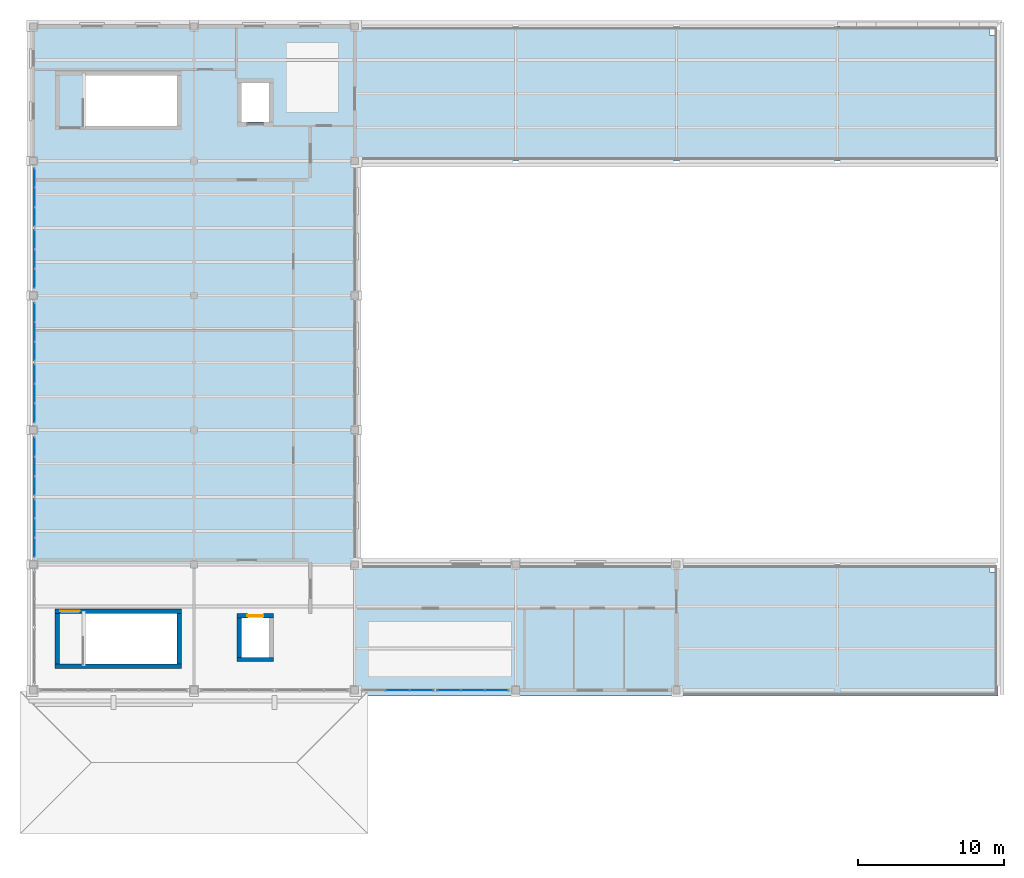
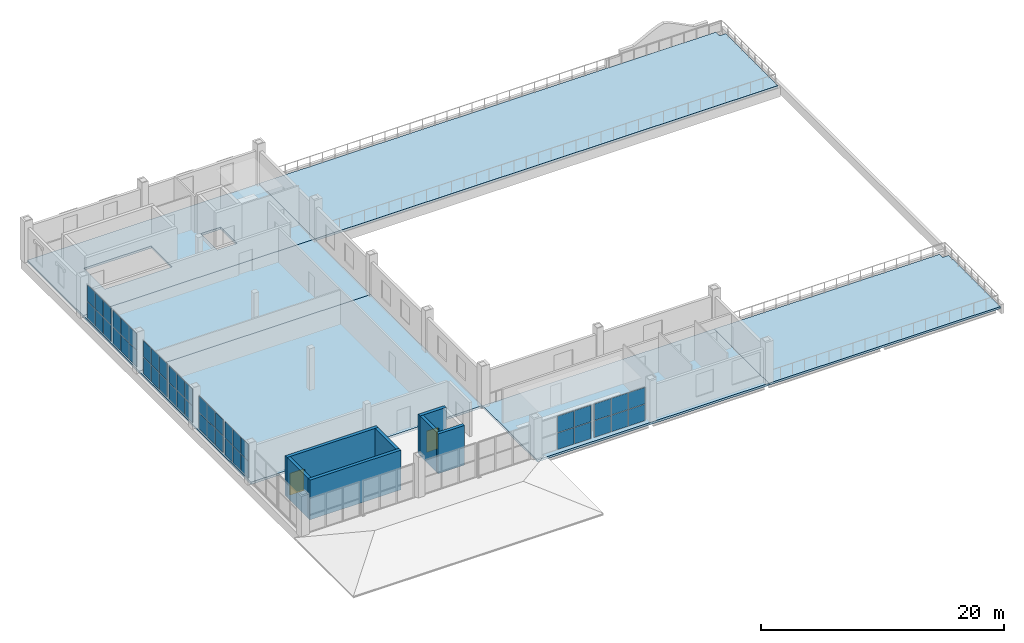
# One storey, part 22 of 26: 46 plates, 7 walls, 6 slabs, 2 doors, 2 openings, 8 elements without a shape of their own.
"""IFC4 building model written with IfcOpenShell, lengths in metres."""

from ifc_helpers import new_model, si_unit, direction, frame, frame_2d, origin, origin_2d, place, context, subcontext, project, spatial, polyline, rectangle, outline, extrude, material, layer, layer_set, type_object, element, fill, aggregate, save


model = new_model("IFC4")

# Units and contexts
model_context = context("Model", 3, precision=1e-05, world=origin(), true_north=direction((0.0, 1.0)))
body_context = subcontext(model_context, "Body", "Model", "MODEL_VIEW")
ifc_project = project(units=[si_unit("LENGTHUNIT", "METRE"), si_unit("AREAUNIT", "SQUARE_METRE"), si_unit("VOLUMEUNIT", "CUBIC_METRE"), si_unit("PLANEANGLEUNIT", "RADIAN"), si_unit("MASSUNIT", "GRAM", prefix="KILO")], contexts=[model_context])

# Site, building, storey
site_placement = place(None, origin())
site = spatial("IfcSite", under=ifc_project, at=site_placement, CompositionType="ELEMENT")
building_placement = place(site_placement, origin())
building = spatial("IfcBuilding", under=site, at=building_placement, Name="Caurita Quay Ferry Terminal", CompositionType="ELEMENT")
storey_placement = place(building_placement, frame((0.0, 0.0, 18.300048828125)))
storey = spatial("IfcBuildingStorey", under=building, at=storey_placement, Name="L04", CompositionType="ELEMENT", Elevation=18.300048828125)

# Curtain wall, plates
ifc_material_1 = material(Name="Laminated solar-control insulated glass", Category="glass")
curtain_wall_type_1 = type_object("IfcCurtainWallType", Name="CW-SYS-21", PredefinedType="NOTDEFINED", material=ifc_material_1)
curtain_wall_1_placement = place(storey_placement, origin())
curtain_wall_1 = element("IfcCurtainWall", 1, at=curtain_wall_1_placement, inside=storey, type_object=curtain_wall_type_1, Name="VTS Watch Panoramic Curtain Wall 144", PredefinedType="NOTDEFINED")
ifc_layer_1 = layer(ifc_material_1, 0.028076171875, Name="Laminated low-e hurricane-rated glazing unit 28 mm")
ifc_layer_set_1 = layer_set([ifc_layer_1], Name="Laminated solar-control insulated glass")
plate_type = type_object("IfcPlateType", Name="CW-PNL-28", PredefinedType="CURTAIN_PANEL", material=ifc_layer_set_1)
plate_1_placement = place(storey_placement, frame((0.10009765625, 81.36376953125, 0.052978515625), z_axis=(0.0, 0.0, 1.0), x_axis=(0.0, 1.0, 0.0)))
plate_1 = element("IfcPlate", 2, at=plate_1_placement, type_object=plate_type, Name="CW-VTS-144 Glazing Panel 1", PredefinedType="CURTAIN_PANEL", context=body_context, shape_type="SweptSolid", body=[
    extrude(rectangle(XDim=1.261474609375, YDim=0.028076171875, at=origin_2d()), origin(), (0.0, 0.0, 1.0), 1.646484375),
])
plate_2_placement = place(storey_placement, frame((0.10009765625, 81.36376953125, 1.75048828125), z_axis=(0.0, 0.0, 1.0), x_axis=(0.0, 1.0, 0.0)))
plate_2 = element("IfcPlate", 3, at=plate_2_placement, type_object=plate_type, Name="CW-VTS-144 Glazing Panel 2", PredefinedType="CURTAIN_PANEL", context=body_context, shape_type="SweptSolid", body=[
    extrude(rectangle(XDim=1.261474609375, YDim=0.028076171875, at=origin_2d()), origin(), (0.0, 0.0, 1.0), 1.646484375),
])
plate_3_placement = place(storey_placement, frame((0.10009765625, 82.68994140625, 0.052978515625), z_axis=(0.0, 0.0, 1.0), x_axis=(0.0, 1.0, 0.0)))
plate_3 = element("IfcPlate", 4, at=plate_3_placement, type_object=plate_type, Name="CW-VTS-144 Glazing Panel 3", PredefinedType="CURTAIN_PANEL", context=body_context, shape_type="SweptSolid", body=[
    extrude(rectangle(XDim=1.2890625, YDim=0.028076171875, at=origin_2d()), origin(), (0.0, 0.0, 1.0), 1.646484375),
])
plate_4_placement = place(storey_placement, frame((0.10009765625, 82.68994140625, 1.75048828125), z_axis=(0.0, 0.0, 1.0), x_axis=(0.0, 1.0, 0.0)))
plate_4 = element("IfcPlate", 5, at=plate_4_placement, type_object=plate_type, Name="CW-VTS-144 Glazing Panel 4", PredefinedType="CURTAIN_PANEL", context=body_context, shape_type="SweptSolid", body=[
    extrude(rectangle(XDim=1.2890625, YDim=0.028076171875, at=origin_2d()), origin(), (0.0, 0.0, 1.0), 1.646484375),
])
plate_5_placement = place(storey_placement, frame((0.10009765625, 84.01611328125, 0.052978515625), z_axis=(0.0, 0.0, 1.0), x_axis=(0.0, 1.0, 0.0)))
plate_5 = element("IfcPlate", 6, at=plate_5_placement, type_object=plate_type, Name="CW-VTS-144 Glazing Panel 5", PredefinedType="CURTAIN_PANEL", context=body_context, shape_type="SweptSolid", body=[
    extrude(rectangle(XDim=1.261474609375, YDim=0.028076171875, at=origin_2d()), origin(), (0.0, 0.0, 1.0), 1.646484375),
])
plate_6_placement = place(storey_placement, frame((0.10009765625, 84.01611328125, 1.75048828125), z_axis=(0.0, 0.0, 1.0), x_axis=(0.0, 1.0, 0.0)))
plate_6 = element("IfcPlate", 7, at=plate_6_placement, type_object=plate_type, Name="CW-VTS-144 Glazing Panel 6", PredefinedType="CURTAIN_PANEL", context=body_context, shape_type="SweptSolid", body=[
    extrude(rectangle(XDim=1.261474609375, YDim=0.028076171875, at=origin_2d()), origin(), (0.0, 0.0, 1.0), 1.646484375),
])
aggregate(curtain_wall_1, [plate_1, plate_2, plate_3, plate_4, plate_5, plate_6])

curtain_wall_2_placement = place(storey_placement, origin())
curtain_wall_2 = element("IfcCurtainWall", 8, at=curtain_wall_2_placement, inside=storey, type_object=curtain_wall_type_1, Name="VTS Watch Panoramic Curtain Wall 145", PredefinedType="NOTDEFINED")
plate_7_placement = place(storey_placement, frame((0.10009765625, 85.583740234375, 0.052978515625), z_axis=(0.0, 0.0, 1.0), x_axis=(0.0, 1.0, 0.0)))
plate_7 = element("IfcPlate", 9, at=plate_7_placement, type_object=plate_type, Name="CW-VTS-145 Glazing Panel 1", PredefinedType="CURTAIN_PANEL", context=body_context, shape_type="SweptSolid", body=[
    extrude(rectangle(XDim=1.261474609375, YDim=0.028076171875, at=origin_2d()), origin(), (0.0, 0.0, 1.0), 1.646484375),
])
plate_8_placement = place(storey_placement, frame((0.10009765625, 85.583740234375, 1.75048828125), z_axis=(0.0, 0.0, 1.0), x_axis=(0.0, 1.0, 0.0)))
plate_8 = element("IfcPlate", 10, at=plate_8_placement, type_object=plate_type, Name="CW-VTS-145 Glazing Panel 2", PredefinedType="CURTAIN_PANEL", context=body_context, shape_type="SweptSolid", body=[
    extrude(rectangle(XDim=1.261474609375, YDim=0.028076171875, at=origin_2d()), origin(), (0.0, 0.0, 1.0), 1.646484375),
])
plate_9_placement = place(storey_placement, frame((0.10009765625, 86.909912109375, 0.052978515625), z_axis=(0.0, 0.0, 1.0), x_axis=(0.0, 1.0, 0.0)))
plate_9 = element("IfcPlate", 11, at=plate_9_placement, type_object=plate_type, Name="CW-VTS-145 Glazing Panel 3", PredefinedType="CURTAIN_PANEL", context=body_context, shape_type="SweptSolid", body=[
    extrude(rectangle(XDim=1.2890625, YDim=0.028076171875, at=origin_2d()), origin(), (0.0, 0.0, 1.0), 1.646484375),
])
plate_10_placement = place(storey_placement, frame((0.10009765625, 86.909912109375, 1.75048828125), z_axis=(0.0, 0.0, 1.0), x_axis=(0.0, 1.0, 0.0)))
plate_10 = element("IfcPlate", 12, at=plate_10_placement, type_object=plate_type, Name="CW-VTS-145 Glazing Panel 4", PredefinedType="CURTAIN_PANEL", context=body_context, shape_type="SweptSolid", body=[
    extrude(rectangle(XDim=1.2890625, YDim=0.028076171875, at=origin_2d()), origin(), (0.0, 0.0, 1.0), 1.646484375),
])
plate_11_placement = place(storey_placement, frame((0.10009765625, 88.236083984375, 0.052978515625), z_axis=(0.0, 0.0, 1.0), x_axis=(0.0, 1.0, 0.0)))
plate_11 = element("IfcPlate", 13, at=plate_11_placement, type_object=plate_type, Name="CW-VTS-145 Glazing Panel 5", PredefinedType="CURTAIN_PANEL", context=body_context, shape_type="SweptSolid", body=[
    extrude(rectangle(XDim=1.261474609375, YDim=0.028076171875, at=origin_2d()), origin(), (0.0, 0.0, 1.0), 1.646484375),
])
plate_12_placement = place(storey_placement, frame((0.10009765625, 88.236083984375, 1.75048828125), z_axis=(0.0, 0.0, 1.0), x_axis=(0.0, 1.0, 0.0)))
plate_12 = element("IfcPlate", 14, at=plate_12_placement, type_object=plate_type, Name="CW-VTS-145 Glazing Panel 6", PredefinedType="CURTAIN_PANEL", context=body_context, shape_type="SweptSolid", body=[
    extrude(rectangle(XDim=1.261474609375, YDim=0.028076171875, at=origin_2d()), origin(), (0.0, 0.0, 1.0), 1.646484375),
])
aggregate(curtain_wall_2, [plate_7, plate_8, plate_9, plate_10, plate_11, plate_12])

curtain_wall_3_placement = place(storey_placement, origin())
curtain_wall_3 = element("IfcCurtainWall", 15, at=curtain_wall_3_placement, inside=storey, type_object=curtain_wall_type_1, Name="VTS Watch Panoramic Curtain Wall 146", PredefinedType="NOTDEFINED")
plate_13_placement = place(storey_placement, frame((0.10009765625, 90.563720703125, 0.052978515625), z_axis=(0.0, 0.0, 1.0), x_axis=(0.0, 1.0, 0.0)))
plate_13 = element("IfcPlate", 16, at=plate_13_placement, type_object=plate_type, Name="CW-VTS-146 Glazing Panel 1", PredefinedType="CURTAIN_PANEL", context=body_context, shape_type="SweptSolid", body=[
    extrude(rectangle(XDim=1.261474609375, YDim=0.028076171875, at=origin_2d()), origin(), (0.0, 0.0, 1.0), 1.646484375),
])
plate_14_placement = place(storey_placement, frame((0.10009765625, 90.563720703125, 1.75048828125), z_axis=(0.0, 0.0, 1.0), x_axis=(0.0, 1.0, 0.0)))
plate_14 = element("IfcPlate", 17, at=plate_14_placement, type_object=plate_type, Name="CW-VTS-146 Glazing Panel 2", PredefinedType="CURTAIN_PANEL", context=body_context, shape_type="SweptSolid", body=[
    extrude(rectangle(XDim=1.261474609375, YDim=0.028076171875, at=origin_2d()), origin(), (0.0, 0.0, 1.0), 1.646484375),
])
plate_15_placement = place(storey_placement, frame((0.10009765625, 91.889892578125, 0.052978515625), z_axis=(0.0, 0.0, 1.0), x_axis=(0.0, 1.0, 0.0)))
plate_15 = element("IfcPlate", 18, at=plate_15_placement, type_object=plate_type, Name="CW-VTS-146 Glazing Panel 3", PredefinedType="CURTAIN_PANEL", context=body_context, shape_type="SweptSolid", body=[
    extrude(rectangle(XDim=1.2890625, YDim=0.028076171875, at=origin_2d()), origin(), (0.0, 0.0, 1.0), 1.646484375),
])
plate_16_placement = place(storey_placement, frame((0.10009765625, 91.889892578125, 1.75048828125), z_axis=(0.0, 0.0, 1.0), x_axis=(0.0, 1.0, 0.0)))
plate_16 = element("IfcPlate", 19, at=plate_16_placement, type_object=plate_type, Name="CW-VTS-146 Glazing Panel 4", PredefinedType="CURTAIN_PANEL", context=body_context, shape_type="SweptSolid", body=[
    extrude(rectangle(XDim=1.2890625, YDim=0.028076171875, at=origin_2d()), origin(), (0.0, 0.0, 1.0), 1.646484375),
])
plate_17_placement = place(storey_placement, frame((0.10009765625, 93.21630859375, 0.052978515625), z_axis=(0.0, 0.0, 1.0), x_axis=(0.0, 1.0, 0.0)))
plate_17 = element("IfcPlate", 20, at=plate_17_placement, type_object=plate_type, Name="CW-VTS-146 Glazing Panel 5", PredefinedType="CURTAIN_PANEL", context=body_context, shape_type="SweptSolid", body=[
    extrude(rectangle(XDim=1.261474609375, YDim=0.028076171875, at=origin_2d()), origin(), (0.0, 0.0, 1.0), 1.646484375),
])
plate_18_placement = place(storey_placement, frame((0.10009765625, 93.21630859375, 1.75048828125), z_axis=(0.0, 0.0, 1.0), x_axis=(0.0, 1.0, 0.0)))
plate_18 = element("IfcPlate", 21, at=plate_18_placement, type_object=plate_type, Name="CW-VTS-146 Glazing Panel 6", PredefinedType="CURTAIN_PANEL", context=body_context, shape_type="SweptSolid", body=[
    extrude(rectangle(XDim=1.261474609375, YDim=0.028076171875, at=origin_2d()), origin(), (0.0, 0.0, 1.0), 1.646484375),
])
aggregate(curtain_wall_3, [plate_13, plate_14, plate_15, plate_16, plate_17, plate_18])

curtain_wall_4_placement = place(storey_placement, origin())
curtain_wall_4 = element("IfcCurtainWall", 22, at=curtain_wall_4_placement, inside=storey, type_object=curtain_wall_type_1, Name="VTS Watch Panoramic Curtain Wall 147", PredefinedType="NOTDEFINED")
plate_19_placement = place(storey_placement, frame((0.10009765625, 94.78369140625, 0.052978515625), z_axis=(0.0, 0.0, 1.0), x_axis=(0.0, 1.0, 0.0)))
plate_19 = element("IfcPlate", 23, at=plate_19_placement, type_object=plate_type, Name="CW-VTS-147 Glazing Panel 1", PredefinedType="CURTAIN_PANEL", context=body_context, shape_type="SweptSolid", body=[
    extrude(rectangle(XDim=1.261474609375, YDim=0.028076171875, at=origin_2d()), origin(), (0.0, 0.0, 1.0), 1.646484375),
])
plate_20_placement = place(storey_placement, frame((0.10009765625, 94.78369140625, 1.75048828125), z_axis=(0.0, 0.0, 1.0), x_axis=(0.0, 1.0, 0.0)))
plate_20 = element("IfcPlate", 24, at=plate_20_placement, type_object=plate_type, Name="CW-VTS-147 Glazing Panel 2", PredefinedType="CURTAIN_PANEL", context=body_context, shape_type="SweptSolid", body=[
    extrude(rectangle(XDim=1.261474609375, YDim=0.028076171875, at=origin_2d()), origin(), (0.0, 0.0, 1.0), 1.646484375),
])
plate_21_placement = place(storey_placement, frame((0.10009765625, 96.110107421875, 0.052978515625), z_axis=(0.0, 0.0, 1.0), x_axis=(0.0, 1.0, 0.0)))
plate_21 = element("IfcPlate", 25, at=plate_21_placement, type_object=plate_type, Name="CW-VTS-147 Glazing Panel 3", PredefinedType="CURTAIN_PANEL", context=body_context, shape_type="SweptSolid", body=[
    extrude(rectangle(XDim=1.2890625, YDim=0.028076171875, at=origin_2d()), origin(), (0.0, 0.0, 1.0), 1.646484375),
])
plate_22_placement = place(storey_placement, frame((0.10009765625, 96.110107421875, 1.75048828125), z_axis=(0.0, 0.0, 1.0), x_axis=(0.0, 1.0, 0.0)))
plate_22 = element("IfcPlate", 26, at=plate_22_placement, type_object=plate_type, Name="CW-VTS-147 Glazing Panel 4", PredefinedType="CURTAIN_PANEL", context=body_context, shape_type="SweptSolid", body=[
    extrude(rectangle(XDim=1.2890625, YDim=0.028076171875, at=origin_2d()), origin(), (0.0, 0.0, 1.0), 1.646484375),
])
plate_23_placement = place(storey_placement, frame((0.10009765625, 97.436279296875, 0.052978515625), z_axis=(0.0, 0.0, 1.0), x_axis=(0.0, 1.0, 0.0)))
plate_23 = element("IfcPlate", 27, at=plate_23_placement, type_object=plate_type, Name="CW-VTS-147 Glazing Panel 5", PredefinedType="CURTAIN_PANEL", context=body_context, shape_type="SweptSolid", body=[
    extrude(rectangle(XDim=1.261474609375, YDim=0.028076171875, at=origin_2d()), origin(), (0.0, 0.0, 1.0), 1.646484375),
])
plate_24_placement = place(storey_placement, frame((0.10009765625, 97.436279296875, 1.75048828125), z_axis=(0.0, 0.0, 1.0), x_axis=(0.0, 1.0, 0.0)))
plate_24 = element("IfcPlate", 28, at=plate_24_placement, type_object=plate_type, Name="CW-VTS-147 Glazing Panel 6", PredefinedType="CURTAIN_PANEL", context=body_context, shape_type="SweptSolid", body=[
    extrude(rectangle(XDim=1.261474609375, YDim=0.028076171875, at=origin_2d()), origin(), (0.0, 0.0, 1.0), 1.646484375),
])
aggregate(curtain_wall_4, [plate_19, plate_20, plate_21, plate_22, plate_23, plate_24])

curtain_wall_5_placement = place(storey_placement, origin())
curtain_wall_5 = element("IfcCurtainWall", 29, at=curtain_wall_5_placement, inside=storey, type_object=curtain_wall_type_1, Name="VTS Watch Panoramic Curtain Wall 148", PredefinedType="NOTDEFINED")
plate_25_placement = place(storey_placement, frame((0.10009765625, 99.763916015625, 0.052978515625), z_axis=(0.0, 0.0, 1.0), x_axis=(0.0, 1.0, 0.0)))
plate_25 = element("IfcPlate", 30, at=plate_25_placement, type_object=plate_type, Name="CW-VTS-148 Glazing Panel 1", PredefinedType="CURTAIN_PANEL", context=body_context, shape_type="SweptSolid", body=[
    extrude(rectangle(XDim=1.261474609375, YDim=0.028076171875, at=origin_2d()), origin(), (0.0, 0.0, 1.0), 1.646484375),
])
plate_26_placement = place(storey_placement, frame((0.10009765625, 99.763916015625, 1.75048828125), z_axis=(0.0, 0.0, 1.0), x_axis=(0.0, 1.0, 0.0)))
plate_26 = element("IfcPlate", 31, at=plate_26_placement, type_object=plate_type, Name="CW-VTS-148 Glazing Panel 2", PredefinedType="CURTAIN_PANEL", context=body_context, shape_type="SweptSolid", body=[
    extrude(rectangle(XDim=1.261474609375, YDim=0.028076171875, at=origin_2d()), origin(), (0.0, 0.0, 1.0), 1.646484375),
])
plate_27_placement = place(storey_placement, frame((0.10009765625, 101.090087890625, 0.052978515625), z_axis=(0.0, 0.0, 1.0), x_axis=(0.0, 1.0, 0.0)))
plate_27 = element("IfcPlate", 32, at=plate_27_placement, type_object=plate_type, Name="CW-VTS-148 Glazing Panel 3", PredefinedType="CURTAIN_PANEL", context=body_context, shape_type="SweptSolid", body=[
    extrude(rectangle(XDim=1.2890625, YDim=0.028076171875, at=origin_2d()), origin(), (0.0, 0.0, 1.0), 1.646484375),
])
plate_28_placement = place(storey_placement, frame((0.10009765625, 101.090087890625, 1.75048828125), z_axis=(0.0, 0.0, 1.0), x_axis=(0.0, 1.0, 0.0)))
plate_28 = element("IfcPlate", 33, at=plate_28_placement, type_object=plate_type, Name="CW-VTS-148 Glazing Panel 4", PredefinedType="CURTAIN_PANEL", context=body_context, shape_type="SweptSolid", body=[
    extrude(rectangle(XDim=1.2890625, YDim=0.028076171875, at=origin_2d()), origin(), (0.0, 0.0, 1.0), 1.646484375),
])
plate_29_placement = place(storey_placement, frame((0.10009765625, 102.416259765625, 0.052978515625), z_axis=(0.0, 0.0, 1.0), x_axis=(0.0, 1.0, 0.0)))
plate_29 = element("IfcPlate", 34, at=plate_29_placement, type_object=plate_type, Name="CW-VTS-148 Glazing Panel 5", PredefinedType="CURTAIN_PANEL", context=body_context, shape_type="SweptSolid", body=[
    extrude(rectangle(XDim=1.261474609375, YDim=0.028076171875, at=origin_2d()), origin(), (0.0, 0.0, 1.0), 1.646484375),
])
plate_30_placement = place(storey_placement, frame((0.10009765625, 102.416259765625, 1.75048828125), z_axis=(0.0, 0.0, 1.0), x_axis=(0.0, 1.0, 0.0)))
plate_30 = element("IfcPlate", 35, at=plate_30_placement, type_object=plate_type, Name="CW-VTS-148 Glazing Panel 6", PredefinedType="CURTAIN_PANEL", context=body_context, shape_type="SweptSolid", body=[
    extrude(rectangle(XDim=1.261474609375, YDim=0.028076171875, at=origin_2d()), origin(), (0.0, 0.0, 1.0), 1.646484375),
])
aggregate(curtain_wall_5, [plate_25, plate_26, plate_27, plate_28, plate_29, plate_30])

curtain_wall_6_placement = place(storey_placement, origin())
curtain_wall_6 = element("IfcCurtainWall", 36, at=curtain_wall_6_placement, inside=storey, type_object=curtain_wall_type_1, Name="VTS Watch Panoramic Curtain Wall 149", PredefinedType="NOTDEFINED")
plate_31_placement = place(storey_placement, frame((0.10009765625, 103.98388671875, 0.052978515625), z_axis=(0.0, 0.0, 1.0), x_axis=(0.0, 1.0, 0.0)))
plate_31 = element("IfcPlate", 37, at=plate_31_placement, type_object=plate_type, Name="CW-VTS-149 Glazing Panel 1", PredefinedType="CURTAIN_PANEL", context=body_context, shape_type="SweptSolid", body=[
    extrude(rectangle(XDim=1.261474609375, YDim=0.028076171875, at=origin_2d()), origin(), (0.0, 0.0, 1.0), 1.646484375),
])
plate_32_placement = place(storey_placement, frame((0.10009765625, 103.98388671875, 1.75048828125), z_axis=(0.0, 0.0, 1.0), x_axis=(0.0, 1.0, 0.0)))
plate_32 = element("IfcPlate", 38, at=plate_32_placement, type_object=plate_type, Name="CW-VTS-149 Glazing Panel 2", PredefinedType="CURTAIN_PANEL", context=body_context, shape_type="SweptSolid", body=[
    extrude(rectangle(XDim=1.261474609375, YDim=0.028076171875, at=origin_2d()), origin(), (0.0, 0.0, 1.0), 1.646484375),
])
plate_33_placement = place(storey_placement, frame((0.10009765625, 105.31005859375, 0.052978515625), z_axis=(0.0, 0.0, 1.0), x_axis=(0.0, 1.0, 0.0)))
plate_33 = element("IfcPlate", 39, at=plate_33_placement, type_object=plate_type, Name="CW-VTS-149 Glazing Panel 3", PredefinedType="CURTAIN_PANEL", context=body_context, shape_type="SweptSolid", body=[
    extrude(rectangle(XDim=1.2890625, YDim=0.028076171875, at=origin_2d()), origin(), (0.0, 0.0, 1.0), 1.646484375),
])
plate_34_placement = place(storey_placement, frame((0.10009765625, 105.31005859375, 1.75048828125), z_axis=(0.0, 0.0, 1.0), x_axis=(0.0, 1.0, 0.0)))
plate_34 = element("IfcPlate", 40, at=plate_34_placement, type_object=plate_type, Name="CW-VTS-149 Glazing Panel 4", PredefinedType="CURTAIN_PANEL", context=body_context, shape_type="SweptSolid", body=[
    extrude(rectangle(XDim=1.2890625, YDim=0.028076171875, at=origin_2d()), origin(), (0.0, 0.0, 1.0), 1.646484375),
])
plate_35_placement = place(storey_placement, frame((0.10009765625, 106.63623046875, 0.052978515625), z_axis=(0.0, 0.0, 1.0), x_axis=(0.0, 1.0, 0.0)))
plate_35 = element("IfcPlate", 41, at=plate_35_placement, type_object=plate_type, Name="CW-VTS-149 Glazing Panel 5", PredefinedType="CURTAIN_PANEL", context=body_context, shape_type="SweptSolid", body=[
    extrude(rectangle(XDim=1.261474609375, YDim=0.028076171875, at=origin_2d()), origin(), (0.0, 0.0, 1.0), 1.646484375),
])
plate_36_placement = place(storey_placement, frame((0.10009765625, 106.63623046875, 1.75048828125), z_axis=(0.0, 0.0, 1.0), x_axis=(0.0, 1.0, 0.0)))
plate_36 = element("IfcPlate", 42, at=plate_36_placement, type_object=plate_type, Name="CW-VTS-149 Glazing Panel 6", PredefinedType="CURTAIN_PANEL", context=body_context, shape_type="SweptSolid", body=[
    extrude(rectangle(XDim=1.261474609375, YDim=0.028076171875, at=origin_2d()), origin(), (0.0, 0.0, 1.0), 1.646484375),
])
aggregate(curtain_wall_6, [plate_31, plate_32, plate_33, plate_34, plate_35, plate_36])

curtain_wall_type_2 = type_object("IfcCurtainWallType", Name="CW-SYS-22", PredefinedType="NOTDEFINED", material=ifc_material_1)
curtain_wall_7_placement = place(storey_placement, origin())
curtain_wall_7 = element("IfcCurtainWall", 43, at=curtain_wall_7_placement, inside=storey, type_object=curtain_wall_type_2, Name="VTS Harbour South Watch Curtain Wall 154", PredefinedType="NOTDEFINED")
plate_37_placement = place(storey_placement, frame((24.93994140625, 71.60009765625, 0.052978515625), z_axis=(0.0, 0.0, 1.0), x_axis=(1.0, 0.0, 0.0)))
plate_37 = element("IfcPlate", 44, at=plate_37_placement, type_object=plate_type, Name="CW-VTS-154 Glazing Panel 3", PredefinedType="CURTAIN_PANEL", context=body_context, shape_type="SweptSolid", body=[
    extrude(rectangle(XDim=1.589111328125, YDim=0.028076171875, at=origin_2d()), origin(), (0.0, 0.0, 1.0), 1.646484375),
])
plate_38_placement = place(storey_placement, frame((24.93994140625, 71.60009765625, 1.75048828125), z_axis=(0.0, 0.0, 1.0), x_axis=(1.0, 0.0, 0.0)))
plate_38 = element("IfcPlate", 45, at=plate_38_placement, type_object=plate_type, Name="CW-VTS-154 Glazing Panel 4", PredefinedType="CURTAIN_PANEL", context=body_context, shape_type="SweptSolid", body=[
    extrude(rectangle(XDim=1.589111328125, YDim=0.028076171875, at=origin_2d()), origin(), (0.0, 0.0, 1.0), 1.646484375),
])
plate_39_placement = place(storey_placement, frame((26.566162109375, 71.60009765625, 0.052978515625), z_axis=(0.0, 0.0, 1.0), x_axis=(1.0, 0.0, 0.0)))
plate_39 = element("IfcPlate", 46, at=plate_39_placement, type_object=plate_type, Name="CW-VTS-154 Glazing Panel 5", PredefinedType="CURTAIN_PANEL", context=body_context, shape_type="SweptSolid", body=[
    extrude(rectangle(XDim=1.5615234375, YDim=0.028076171875, at=origin_2d()), origin(), (0.0, 0.0, 1.0), 1.646484375),
])
plate_40_placement = place(storey_placement, frame((26.566162109375, 71.60009765625, 1.75048828125), z_axis=(0.0, 0.0, 1.0), x_axis=(1.0, 0.0, 0.0)))
plate_40 = element("IfcPlate", 47, at=plate_40_placement, type_object=plate_type, Name="CW-VTS-154 Glazing Panel 6", PredefinedType="CURTAIN_PANEL", context=body_context, shape_type="SweptSolid", body=[
    extrude(rectangle(XDim=1.5615234375, YDim=0.028076171875, at=origin_2d()), origin(), (0.0, 0.0, 1.0), 1.646484375),
])
aggregate(curtain_wall_7, [plate_37, plate_38, plate_39, plate_40])

curtain_wall_8_placement = place(storey_placement, origin())
curtain_wall_8 = element("IfcCurtainWall", 48, at=curtain_wall_8_placement, inside=storey, type_object=curtain_wall_type_2, Name="VTS Harbour South Watch Curtain Wall 155", PredefinedType="NOTDEFINED")
plate_41_placement = place(storey_placement, frame((28.433837890625, 71.60009765625, 0.052978515625), z_axis=(0.0, 0.0, 1.0), x_axis=(1.0, 0.0, 0.0)))
plate_41 = element("IfcPlate", 49, at=plate_41_placement, type_object=plate_type, Name="CW-VTS-155 Glazing Panel 1", PredefinedType="CURTAIN_PANEL", context=body_context, shape_type="SweptSolid", body=[
    extrude(rectangle(XDim=1.5615234375, YDim=0.028076171875, at=origin_2d()), origin(), (0.0, 0.0, 1.0), 1.646484375),
])
plate_42_placement = place(storey_placement, frame((28.433837890625, 71.60009765625, 1.75048828125), z_axis=(0.0, 0.0, 1.0), x_axis=(1.0, 0.0, 0.0)))
plate_42 = element("IfcPlate", 50, at=plate_42_placement, type_object=plate_type, Name="CW-VTS-155 Glazing Panel 2", PredefinedType="CURTAIN_PANEL", context=body_context, shape_type="SweptSolid", body=[
    extrude(rectangle(XDim=1.5615234375, YDim=0.028076171875, at=origin_2d()), origin(), (0.0, 0.0, 1.0), 1.646484375),
])
plate_43_placement = place(storey_placement, frame((30.06005859375, 71.60009765625, 0.052978515625), z_axis=(0.0, 0.0, 1.0), x_axis=(1.0, 0.0, 0.0)))
plate_43 = element("IfcPlate", 51, at=plate_43_placement, type_object=plate_type, Name="CW-VTS-155 Glazing Panel 3", PredefinedType="CURTAIN_PANEL", context=body_context, shape_type="SweptSolid", body=[
    extrude(rectangle(XDim=1.589111328125, YDim=0.028076171875, at=origin_2d()), origin(), (0.0, 0.0, 1.0), 1.646484375),
])
plate_44_placement = place(storey_placement, frame((30.06005859375, 71.60009765625, 1.75048828125), z_axis=(0.0, 0.0, 1.0), x_axis=(1.0, 0.0, 0.0)))
plate_44 = element("IfcPlate", 52, at=plate_44_placement, type_object=plate_type, Name="CW-VTS-155 Glazing Panel 4", PredefinedType="CURTAIN_PANEL", context=body_context, shape_type="SweptSolid", body=[
    extrude(rectangle(XDim=1.589111328125, YDim=0.028076171875, at=origin_2d()), origin(), (0.0, 0.0, 1.0), 1.646484375),
])
plate_45_placement = place(storey_placement, frame((31.686279296875, 71.60009765625, 0.052978515625), z_axis=(0.0, 0.0, 1.0), x_axis=(1.0, 0.0, 0.0)))
plate_45 = element("IfcPlate", 53, at=plate_45_placement, type_object=plate_type, Name="CW-VTS-155 Glazing Panel 5", PredefinedType="CURTAIN_PANEL", context=body_context, shape_type="SweptSolid", body=[
    extrude(rectangle(XDim=1.5615234375, YDim=0.028076171875, at=origin_2d()), origin(), (0.0, 0.0, 1.0), 1.646484375),
])
plate_46_placement = place(storey_placement, frame((31.686279296875, 71.60009765625, 1.75048828125), z_axis=(0.0, 0.0, 1.0), x_axis=(1.0, 0.0, 0.0)))
plate_46 = element("IfcPlate", 54, at=plate_46_placement, type_object=plate_type, Name="CW-VTS-155 Glazing Panel 6", PredefinedType="CURTAIN_PANEL", context=body_context, shape_type="SweptSolid", body=[
    extrude(rectangle(XDim=1.5615234375, YDim=0.028076171875, at=origin_2d()), origin(), (0.0, 0.0, 1.0), 1.646484375),
])
aggregate(curtain_wall_8, [plate_41, plate_42, plate_43, plate_44, plate_45, plate_46])

# Slabs
ifc_material_2 = material(Name="Reinforced concrete C35/45", Category="concrete")
ifc_layer_2 = layer(ifc_material_2, 0.219970703125, Name="Reinforced concrete floor slab 220 mm")
ifc_layer_set_2 = layer_set([ifc_layer_2], Name="Reinforced concrete C35/45")
slab_type_1 = type_object("IfcSlabType", Name="SLB-FLR-220", PredefinedType="FLOOR", material=ifc_layer_set_2)
slab_1_placement = place(storey_placement, frame((0.0, 0.0, -0.219970703125)))
element("IfcSlab", 55, at=slab_1_placement, inside=storey, type_object=slab_type_1, Name="L04 V5-FLR Slab 02", PredefinedType="FLOOR", context=body_context, shape_type="SweptSolid", body=[
    extrude(outline(polyline([(0.0, 80.199951171875), (22.0, 80.199951171875), (22.0, 98.60009765625), (0.0, 98.60009765625), (0.0, 80.199951171875)])), origin(), (0.0, 0.0, 1.0), 0.219970703125),
])
slab_2_placement = place(storey_placement, frame((0.0, 0.0, -0.219970703125)))
element("IfcSlab", 56, at=slab_2_placement, inside=storey, type_object=slab_type_1, Name="L04 V5-FLR Slab 03", PredefinedType="FLOOR", context=body_context, shape_type="SweptSolid", body=[
    extrude(outline(polyline([(0.0, 98.60009765625), (22.0, 98.60009765625), (22.0, 107.800048828125), (0.0, 107.800048828125), (0.0, 98.60009765625)])), origin(), (0.0, 0.0, 1.0), 0.219970703125),
])
slab_3_placement = place(storey_placement, frame((0.0, 0.0, -0.219970703125)))
element("IfcSlab", 57, at=slab_3_placement, inside=storey, type_object=slab_type_1, Name="L04 V5-FLR Slab 04", PredefinedType="FLOOR", context=body_context, shape_type="SweptSolid", body=[
    extrude(outline(polyline([(0.0, 107.800048828125), (22.0, 107.800048828125), (22.0, 117.0), (0.0, 117.0), (0.0, 107.800048828125)]), holes=[polyline([(3.449951171875, 110.199951171875), (9.85009765625, 110.199951171875), (9.85009765625, 113.659912109375), (3.449951171875, 113.659912109375), (3.449951171875, 110.199951171875)]), polyline([(14.2548828125, 110.455078125), (16.14501953125, 110.455078125), (16.14501953125, 113.14501953125), (14.2548828125, 113.14501953125), (14.2548828125, 110.455078125)])]), origin(), (0.0, 0.0, 1.0), 0.219970703125),
])
slab_4_placement = place(storey_placement, frame((0.0, 0.0, -0.219970703125)))
element("IfcSlab", 58, at=slab_4_placement, inside=storey, type_object=slab_type_1, Name="L04 V5-FLR Slab 05", PredefinedType="FLOOR", context=body_context, shape_type="SweptSolid", body=[
    extrude(outline(polyline([(22.0, 71.199951171875), (44.0, 71.199951171875), (44.0, 80.199951171875), (22.0, 80.199951171875), (22.0, 71.199951171875)])), origin(), (0.0, 0.0, 1.0), 0.219970703125),
])
ifc_layer_3 = layer(ifc_material_2, 0.2099609375, Name="Reinforced concrete roof slab 210 mm")
ifc_layer_set_3 = layer_set([ifc_layer_3], Name="Reinforced concrete C35/45")
slab_type_2 = type_object("IfcSlabType", Name="SLB-RF-210", PredefinedType="ROOF", material=ifc_layer_set_3)
slab_5_placement = place(storey_placement, frame((0.0, 0.0, -0.2099609375)))
element("IfcSlab", 59, at=slab_5_placement, inside=storey, type_object=slab_type_2, Name="South Watch Terrace", PredefinedType="ROOF", context=body_context, shape_type="SweptSolid", body=[
    extrude(outline(polyline([(44.0, 71.199951171875), (66.0, 71.199951171875), (66.0, 79.699951171875), (65.39990234375, 79.699951171875), (65.39990234375, 80.199951171875), (44.0, 80.199951171875), (44.0, 71.199951171875)])), origin(), (0.0, 0.0, 1.0), 0.2099609375),
])
slab_6_placement = place(storey_placement, frame((0.0, 0.0, -0.2099609375)))
element("IfcSlab", 60, at=slab_6_placement, inside=storey, type_object=slab_type_2, Name="North Watch Terrace", PredefinedType="ROOF", context=body_context, shape_type="SweptSolid", body=[
    extrude(outline(polyline([(22.0, 107.800048828125), (66.0, 107.800048828125), (66.0, 116.39990234375), (65.39990234375, 116.39990234375), (65.39990234375, 117.0), (22.0, 117.0), (22.0, 107.800048828125)])), origin(), (0.0, 0.0, 1.0), 0.2099609375),
])

# Wall
ifc_layer_4 = layer(ifc_material_2, 0.300048828125, Name="Interior shear wall 300 mm")
ifc_layer_set_4 = layer_set([ifc_layer_4], Name="Reinforced concrete C35/45")
wall_type = type_object("IfcWallType", Name="WL-CORE-300", PredefinedType="SHEAR", material=ifc_layer_set_4)
wall_1_placement = place(storey_placement, frame((1.5, 73.25, 0.0), z_axis=(0.0, 0.0, 1.0), x_axis=(1.0, 0.0, 0.0)))
element("IfcWall", 61, at=wall_1_placement, inside=storey, type_object=wall_type, Name="L04 ST-02 Core Wall South", PredefinedType="SHEAR", context=body_context, shape_type="SweptSolid", body=[
    extrude(rectangle(XDim=8.64990234375, YDim=0.300048828125, at=frame_2d((4.324951171875, 0.0))), origin(), (0.0, 0.0, 1.0), 3.989990234375),
])

# Wall, opening, door
wall_2_placement = place(storey_placement, frame((10.14990234375, 77.010009765625, 0.0), z_axis=(0.0, 0.0, 1.0), x_axis=(-1.0, 0.0, 0.0)))
wall_2 = element("IfcWall", 62, at=wall_2_placement, inside=storey, type_object=wall_type, Name="L04 ST-02 Core Wall North", PredefinedType="SHEAR", context=body_context, shape_type="SweptSolid", body=[
    extrude(rectangle(XDim=8.64990234375, YDim=0.300048828125, at=frame_2d((4.324951171875, 0.0))), origin(), (0.0, 0.0, 1.0), 3.989990234375),
])
opening_1_placement = place(wall_2_placement, frame((6.949951171875, 0.0, 0.0)))
opening_1 = element("IfcOpeningElement", 63, at=opening_1_placement, cuts=wall_2, Name="Opening SD-01", PredefinedType="OPENING", context=body_context, shape_type="SweptSolid", body=[
    extrude(rectangle(XDim=1.35009765625, YDim=2.199951171875, at=frame_2d((0.675048828125, 1.10009765625))), frame((0.0, 0.159912109375, 0.0), z_axis=(0.0, -1.0, 0.0), x_axis=(1.0, 0.0, 0.0)), (0.0, 0.0, 1.0), 0.320068359375),
])
ifc_material_3 = material(Name="Anodized aluminium 6063-T6", Category="aluminium")
door_type_1 = type_object("IfcDoorType", Name="DR-ST-1200", OperationType="NOTDEFINED", PredefinedType="DOOR", material=ifc_material_3)
door_1_placement = place(opening_1_placement, origin())
door_1 = element("IfcDoor", 64, at=door_1_placement, inside=storey, type_object=door_type_1, Name="L04 Exit Stair ST-02 Fire Door", OperationType="SINGLE_SWING_RIGHT", OverallHeight=2.199951171875, OverallWidth=1.35009765625, PredefinedType="DOOR", context=body_context, shape_type="SweptSolid", body=[
    extrude(rectangle(XDim=1.35009765625, YDim=2.199951171875, at=frame_2d((0.675048828125, 1.10009765625))), frame((0.0, 0.02490234375, 0.0), z_axis=(0.0, -1.0, 0.0), x_axis=(1.0, 0.0, 0.0)), (0.0, 0.0, 1.0), 0.050048828125),
])
fill(opening_1, door_1)

# Walls
for number, where, z_axis, x_axis, name in (
    (65, (1.64990234375, 76.860107421875, 0.0), (0.0, 0.0, 1.0), (0.0, -1.0, 0.0), "L04 ST-02 Core Wall West"),
    (66, (10.0, 73.39990234375, 0.0), (0.0, 0.0, 1.0), (0.0, 1.0, 0.0), "L04 ST-02 Core Wall East"),
):
    element("IfcWall", number, at=place(storey_placement, frame(where, z_axis=z_axis, x_axis=x_axis)), inside=storey, type_object=wall_type, Name=name, PredefinedType="SHEAR", context=body_context, shape_type="SweptSolid", body=[
        extrude(rectangle(XDim=3.460205078125, YDim=0.300048828125, at=frame_2d((1.72998046875, 0.0))), origin(), (0.0, 0.0, 1.0), 3.989990234375),
    ])
wall_3_placement = place(storey_placement, frame((13.955078125, 73.705078125, 0.0), z_axis=(0.0, 0.0, 1.0), x_axis=(1.0, 0.0, 0.0)))
element("IfcWall", 67, at=wall_3_placement, inside=storey, type_object=wall_type, Name="L04 Lift LF-02 Shaft Wall South", PredefinedType="SHEAR", context=body_context, shape_type="SweptSolid", body=[
    extrude(rectangle(XDim=2.489990234375, YDim=0.300048828125, at=frame_2d((1.2451171875, 0.0))), origin(), (0.0, 0.0, 1.0), 3.989990234375),
])

# Wall, opening, door
wall_4_placement = place(storey_placement, frame((16.445068359375, 76.695068359375, 0.0), z_axis=(0.0, 0.0, 1.0), x_axis=(-1.0, 0.0, 0.0)))
wall_4 = element("IfcWall", 68, at=wall_4_placement, inside=storey, type_object=wall_type, Name="L04 Lift LF-02 Shaft Wall North", PredefinedType="SHEAR", context=body_context, shape_type="SweptSolid", body=[
    extrude(rectangle(XDim=2.489990234375, YDim=0.300048828125, at=frame_2d((1.2451171875, 0.0))), origin(), (0.0, 0.0, 1.0), 3.989990234375),
])
opening_2_placement = place(wall_4_placement, frame((0.695068359375, 0.0, 0.0)))
opening_2 = element("IfcOpeningElement", 69, at=opening_2_placement, cuts=wall_4, Name="Opening LD-01", PredefinedType="OPENING", context=body_context, shape_type="SweptSolid", body=[
    extrude(rectangle(XDim=1.10009765625, YDim=2.14990234375, at=frame_2d((0.550048828125, 1.074951171875))), frame((0.0, 0.159912109375, 0.0), z_axis=(0.0, -1.0, 0.0), x_axis=(1.0, 0.0, 0.0)), (0.0, 0.0, 1.0), 0.320068359375),
])
ifc_material_4 = material(Name="Bronze architectural metalwork", Category="metal")
door_type_2 = type_object("IfcDoorType", Name="DR-LD-01", OperationType="DOUBLE_DOOR_SLIDING", PredefinedType="DOOR", material=ifc_material_4)
door_2_placement = place(opening_2_placement, frame((1.10009765625, 0.0, 0.0), z_axis=(0.0, 0.0, 1.0), x_axis=(-1.0, 0.0, 0.0)))
door_2 = element("IfcDoor", 70, at=door_2_placement, inside=storey, type_object=door_type_2, Name="L04 Lift LF-02 Sliding Landing Door", OperationType="DOUBLE_DOOR_SLIDING", OverallHeight=2.14990234375, OverallWidth=1.10009765625, PredefinedType="DOOR", context=body_context, shape_type="SweptSolid", body=[
    extrude(rectangle(XDim=1.10009765625, YDim=2.14990234375, at=frame_2d((0.550048828125, 1.074951171875))), frame((0.0, 0.02490234375, 0.0), z_axis=(0.0, -1.0, 0.0), x_axis=(1.0, 0.0, 0.0)), (0.0, 0.0, 1.0), 0.050048828125),
])
fill(opening_2, door_2)

# Wall
wall_5_placement = place(storey_placement, frame((14.10498046875, 76.544921875, 0.0), z_axis=(0.0, 0.0, 1.0), x_axis=(0.0, -1.0, 0.0)))
element("IfcWall", 71, at=wall_5_placement, inside=storey, type_object=wall_type, Name="L04 Lift LF-02 Shaft Wall West", PredefinedType="SHEAR", context=body_context, shape_type="SweptSolid", body=[
    extrude(rectangle(XDim=2.68994140625, YDim=0.300048828125, at=frame_2d((1.344970703125, 0.0))), origin(), (0.0, 0.0, 1.0), 3.989990234375),
])

save(model, "model.ifc")
